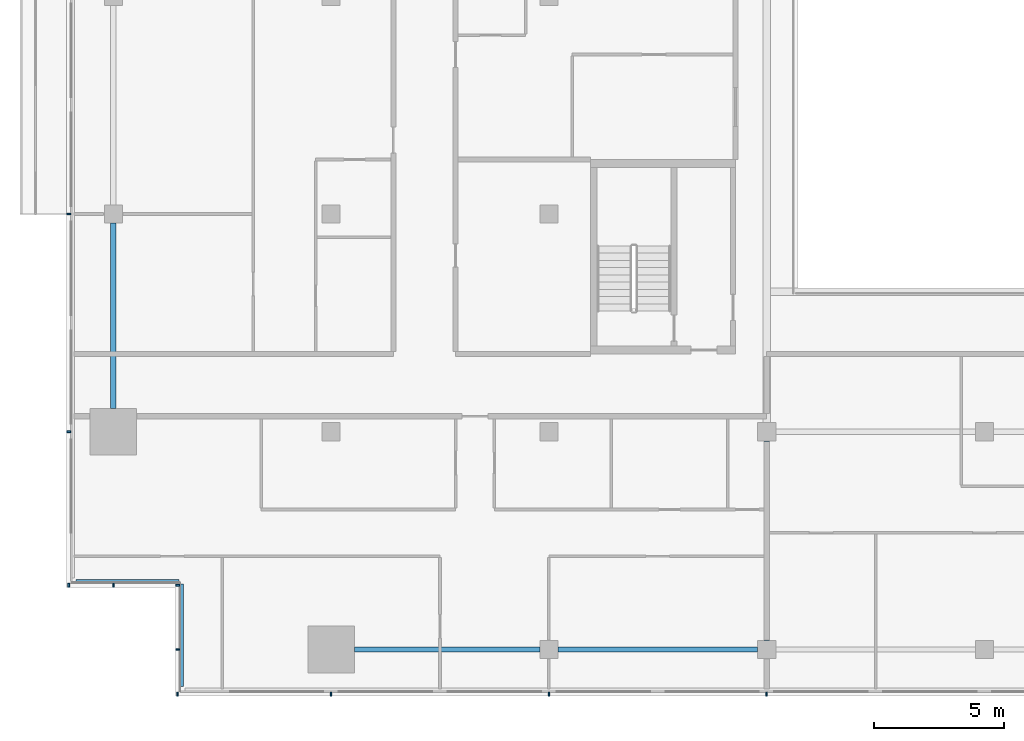
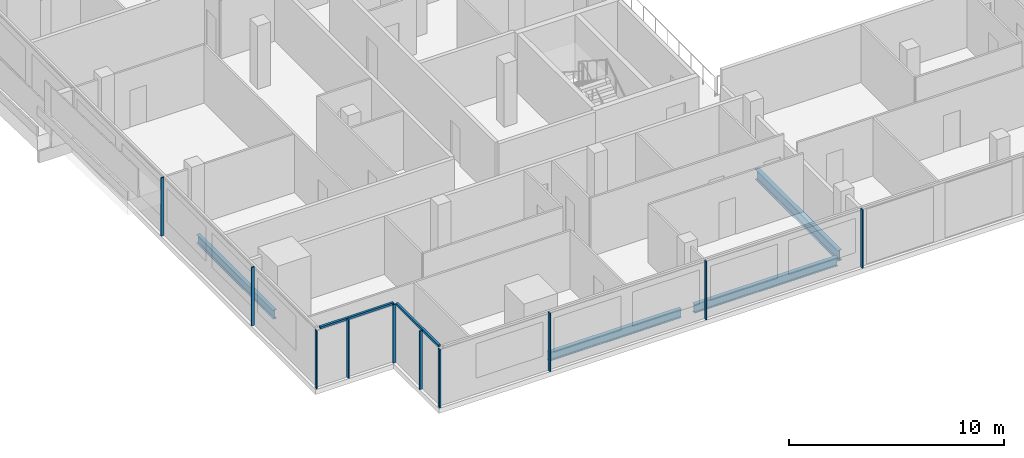
# One storey, part 2 of 27: 12 members, 4 beams, 4 elements without a shape of their own.
"""IFC4 building model written with IfcOpenShell, lengths in metres."""

from ifc_helpers import new_model, si_unit, direction, frame, origin, origin_2d, place, context, subcontext, project, spatial, rectangle, i_section, extrude, material, material_profile, profile_set, type_object, element, aggregate, save


model = new_model("IFC4")

# Units and contexts
model_context = context("Model", 3, precision=1e-05, world=origin(), true_north=direction((0.0, 1.0)))
body_context = subcontext(model_context, "Body", "Model", "MODEL_VIEW")
ifc_project = project(units=[si_unit("LENGTHUNIT", "METRE"), si_unit("AREAUNIT", "SQUARE_METRE"), si_unit("VOLUMEUNIT", "CUBIC_METRE"), si_unit("PLANEANGLEUNIT", "RADIAN"), si_unit("MASSUNIT", "GRAM", prefix="KILO")], contexts=[model_context])

# Site, building, storey
site_placement = place(None, origin())
site = spatial("IfcSite", under=ifc_project, at=site_placement, CompositionType="ELEMENT")
building_placement = place(site_placement, origin())
building = spatial("IfcBuilding", under=site, at=building_placement, Name="Saffron Gate Tower", CompositionType="ELEMENT")
storey_placement = place(building_placement, frame((0.0, 0.0, 183.449951171875)))
storey = spatial("IfcBuildingStorey", under=building, at=storey_placement, Name="L45", CompositionType="ELEMENT", Elevation=183.449951171875)

# Beams
ifc_material_1 = material(Name="Structural steel S355", Category="steel")
ifc_material_profile_1 = material_profile(ifc_material_1, i_section(OverallWidth=0.199951171875, OverallDepth=0.5, WebThickness=0.01025390625, FlangeThickness=0.01611328125, FilletRadius=0.02099609375, at=origin_2d()))
ifc_profile_set_1 = profile_set([ifc_material_profile_1], Name="Structural steel S355")
beam_type_1 = type_object("IfcBeamType", Name="B11 IPE 500", PredefinedType="SPANDREL", material=ifc_profile_set_1)
for number, where, z_axis, x_axis, name in (
    (1, (49.800048828125, 41.10009765625, -0.530029296875), (0.0, 1.0, 0.0), (-1.0, 0.0, 0.0), "B11 SPANDREL BEAM"),
    (2, (59.10009765625, 31.800048828125, -0.530029296875), (1.0, 0.0, 0.0), (0.0, 1.0, 0.0), "B11 SPANDREL BEAM"),
):
    element("IfcBeam", number, at=place(storey_placement, frame(where, z_axis=z_axis, x_axis=x_axis)), inside=storey, type_object=beam_type_1, Name=name, PredefinedType="SPANDREL", context=body_context, shape_type="SweptSolid", body=[
        extrude(i_section(OverallWidth=0.199951171875, OverallDepth=0.5, WebThickness=0.01025390625, FlangeThickness=0.01611328125, FilletRadius=0.02099609375, at=origin_2d()), origin(), (0.0, 0.0, 1.0), 7.14990234375),
    ])
beam_1_placement = place(storey_placement, frame((66.949951171875, 31.800048828125, -0.530029296875), z_axis=(1.0, 0.0, 0.0), x_axis=(0.0, 1.0, 0.0)))
element("IfcBeam", 3, at=beam_1_placement, inside=storey, type_object=beam_type_1, Name="B11 SPANDREL BEAM", PredefinedType="SPANDREL", context=body_context, shape_type="SweptSolid", body=[
    extrude(i_section(OverallWidth=0.199951171875, OverallDepth=0.5, WebThickness=0.01025390625, FlangeThickness=0.01611328125, FilletRadius=0.02099609375, at=origin_2d()), origin(), (0.0, 0.0, 1.0), 7.699951171875),
])
ifc_material_profile_2 = material_profile(ifc_material_1, i_section(OverallWidth=0.219970703125, OverallDepth=0.60009765625, WebThickness=0.011962890625, FlangeThickness=0.01904296875, FilletRadius=0.02392578125, at=origin_2d()))
ifc_profile_set_2 = profile_set([ifc_material_profile_2], Name="Structural steel S355")
beam_type_2 = type_object("IfcBeamType", Name="B15 IPE 600", PredefinedType="BEAM", material=ifc_profile_set_2)
beam_2_placement = place(storey_placement, frame((75.0, 32.14990234375, -0.579833984375), z_axis=(0.0, 1.0, 0.0), x_axis=(-1.0, 0.0, 0.0)))
element("IfcBeam", 4, at=beam_2_placement, inside=storey, type_object=beam_type_2, Name="B15 FLOOR GIRDER", PredefinedType="BEAM", context=body_context, shape_type="SweptSolid", body=[
    extrude(i_section(OverallWidth=0.219970703125, OverallDepth=0.60009765625, WebThickness=0.011962890625, FlangeThickness=0.01904296875, FilletRadius=0.02392578125, at=origin_2d()), origin(), (0.0, 0.0, 1.0), 7.7001953125),
])

# Curtain wall, members
ifc_material_2 = material(Name="Aluminium, bronze anodised", Category="aluminium")
curtain_wall_type_1 = type_object("IfcCurtainWallType", Name="CWS1 curtain wall front facade", PredefinedType="NOTDEFINED", material=ifc_material_2)
curtain_wall_1_placement = place(storey_placement, origin())
curtain_wall_1 = element("IfcCurtainWall", 5, at=curtain_wall_1_placement, inside=storey, type_object=curtain_wall_type_1, Name="CWS1 run 1", PredefinedType="NOTDEFINED")
ifc_material_profile_3 = material_profile(ifc_material_2, rectangle(XDim=0.159912109375, YDim=0.06005859375, at=origin_2d()))
ifc_profile_set_3 = profile_set([ifc_material_profile_3], Name="Aluminium, bronze anodised")
member_type_1 = type_object("IfcMemberType", Name="CWS1 mullion 60x160", PredefinedType="MULLION", material=ifc_profile_set_3)
member_1_placement = place(storey_placement, frame((52.280029296875, 30.080078125, 0.0), z_axis=(0.0, 0.0, 1.0), x_axis=(0.0, 1.0, 0.0)))
member_1 = element("IfcMember", 6, at=member_1_placement, type_object=member_type_1, Name="CWS1 mullion 1", PredefinedType="MULLION", context=body_context, shape_type="SweptSolid", body=[
    extrude(rectangle(XDim=0.159912109375, YDim=0.06005859375, at=origin_2d()), origin(), (0.0, 0.0, 1.0), 3.320068359375),
])
member_2_placement = place(storey_placement, frame((58.199951171875, 30.080078125, 0.0), z_axis=(0.0, 0.0, 1.0), x_axis=(0.0, 1.0, 0.0)))
member_2 = element("IfcMember", 7, at=member_2_placement, type_object=member_type_1, Name="CWS1 mullion 2", PredefinedType="MULLION", context=body_context, shape_type="SweptSolid", body=[
    extrude(rectangle(XDim=0.159912109375, YDim=0.06005859375, at=origin_2d()), origin(), (0.0, 0.0, 1.0), 3.320068359375),
])
member_3_placement = place(storey_placement, frame((66.60009765625, 30.080078125, 0.0), z_axis=(0.0, 0.0, 1.0), x_axis=(0.0, 1.0, 0.0)))
member_3 = element("IfcMember", 8, at=member_3_placement, type_object=member_type_1, Name="CWS1 mullion 3", PredefinedType="MULLION", context=body_context, shape_type="SweptSolid", body=[
    extrude(rectangle(XDim=0.159912109375, YDim=0.06005859375, at=origin_2d()), origin(), (0.0, 0.0, 1.0), 3.320068359375),
])
member_4_placement = place(storey_placement, frame((75.0, 30.080078125, 0.0), z_axis=(0.0, 0.0, 1.0), x_axis=(0.0, 1.0, 0.0)))
member_4 = element("IfcMember", 9, at=member_4_placement, type_object=member_type_1, Name="CWS1 mullion 4", PredefinedType="MULLION", context=body_context, shape_type="SweptSolid", body=[
    extrude(rectangle(XDim=0.159912109375, YDim=0.06005859375, at=origin_2d()), origin(), (0.0, 0.0, 1.0), 3.320068359375),
])
aggregate(curtain_wall_1, [member_1, member_2, member_3, member_4])

curtain_wall_type_2 = type_object("IfcCurtainWallType", Name="CWS2 curtain wall side facades", PredefinedType="NOTDEFINED", material=ifc_material_2)
curtain_wall_2_placement = place(storey_placement, origin())
curtain_wall_2 = element("IfcCurtainWall", 10, at=curtain_wall_2_placement, inside=storey, type_object=curtain_wall_type_2, Name="CWS2 run 10", PredefinedType="NOTDEFINED")
ifc_material_profile_4 = material_profile(ifc_material_2, rectangle(XDim=0.159912109375, YDim=0.06005859375, at=origin_2d()))
ifc_profile_set_4 = profile_set([ifc_material_profile_4], Name="Aluminium, bronze anodised")
member_type_2 = type_object("IfcMemberType", Name="CWS2 mullion 60x160", PredefinedType="MULLION", material=ifc_profile_set_4)
member_5_placement = place(storey_placement, frame((48.080078125, 48.60009765625, 0.0), z_axis=(0.0, 0.0, 1.0), x_axis=(1.0, 0.0, 0.0)))
member_5 = element("IfcMember", 11, at=member_5_placement, type_object=member_type_2, Name="CWS2 mullion 4", PredefinedType="MULLION", context=body_context, shape_type="SweptSolid", body=[
    extrude(rectangle(XDim=0.159912109375, YDim=0.06005859375, at=origin_2d()), origin(), (0.0, 0.0, 1.0), 3.320068359375),
])
member_6_placement = place(storey_placement, frame((48.080078125, 40.199951171875, 0.0), z_axis=(0.0, 0.0, 1.0), x_axis=(1.0, 0.0, 0.0)))
member_6 = element("IfcMember", 12, at=member_6_placement, type_object=member_type_2, Name="CWS2 mullion 5", PredefinedType="MULLION", context=body_context, shape_type="SweptSolid", body=[
    extrude(rectangle(XDim=0.159912109375, YDim=0.06005859375, at=origin_2d()), origin(), (0.0, 0.0, 1.0), 3.320068359375),
])
aggregate(curtain_wall_2, [member_5, member_6])

# Curtain wall, member
curtain_wall_type_3 = type_object("IfcCurtainWallType", Name="CWS4 curtain wall corner returns", PredefinedType="NOTDEFINED", material=ifc_material_2)
curtain_wall_3_placement = place(storey_placement, origin())
curtain_wall_3 = element("IfcCurtainWall", 13, at=curtain_wall_3_placement, inside=storey, type_object=curtain_wall_type_3, Name="CWS4 run 11", PredefinedType="NOTDEFINED")
ifc_material_profile_5 = material_profile(ifc_material_2, rectangle(XDim=0.1201171875, YDim=0.1201171875, at=origin_2d()))
ifc_profile_set_5 = profile_set([ifc_material_profile_5], Name="Aluminium, bronze anodised")
member_type_3 = type_object("IfcMemberType", Name="CWS4 head transom", PredefinedType="USERDEFINED", material=ifc_profile_set_5)
member_7_placement = place(storey_placement, frame((48.367919921875, 34.447998046875, 3.260009765625), z_axis=(1.0, 0.0, 0.0), x_axis=(0.0, 1.0, 0.0)))
member_7 = element("IfcMember", 14, at=member_7_placement, type_object=member_type_3, Name="CWS4 head transom", ObjectType="TRANSOM", PredefinedType="USERDEFINED", context=body_context, shape_type="SweptSolid", body=[
    extrude(rectangle(XDim=0.1201171875, YDim=0.1201171875, at=origin_2d()), origin(), (0.0, 0.0, 1.0), 3.9599609375),
])

curtain_wall_4_placement = place(storey_placement, origin())
curtain_wall_4 = element("IfcCurtainWall", 15, at=curtain_wall_4_placement, inside=storey, type_object=curtain_wall_type_3, Name="CWS4 run 12", PredefinedType="NOTDEFINED")
member_8_placement = place(storey_placement, frame((52.447998046875, 34.327880859375, 3.260009765625), z_axis=(0.0, -1.0, 0.0), x_axis=(1.0, 0.0, 0.0)))
member_8 = element("IfcMember", 16, at=member_8_placement, type_object=member_type_3, Name="CWS4 head transom", ObjectType="TRANSOM", PredefinedType="USERDEFINED", context=body_context, shape_type="SweptSolid", body=[
    extrude(rectangle(XDim=0.1201171875, YDim=0.1201171875, at=origin_2d()), origin(), (0.0, 0.0, 1.0), 3.9599609375),
])

# Member
ifc_material_profile_6 = material_profile(ifc_material_2, rectangle(XDim=0.159912109375, YDim=0.06005859375, at=origin_2d()))
ifc_profile_set_6 = profile_set([ifc_material_profile_6], Name="Aluminium, bronze anodised")
member_type_4 = type_object("IfcMemberType", Name="CWS4 mullion 60x160", PredefinedType="MULLION", material=ifc_profile_set_6)
member_9_placement = place(storey_placement, frame((48.080078125, 34.280029296875, 0.0), z_axis=(0.0, 0.0, 1.0), x_axis=(0.0, 1.0, 0.0)))
member_9 = element("IfcMember", 17, at=member_9_placement, type_object=member_type_4, Name="CWS4 mullion 1", PredefinedType="MULLION", context=body_context, shape_type="SweptSolid", body=[
    extrude(rectangle(XDim=0.159912109375, YDim=0.06005859375, at=origin_2d()), origin(), (0.0, 0.0, 1.0), 3.320068359375),
])

member_10_placement = place(storey_placement, frame((49.800048828125, 34.280029296875, 0.0), z_axis=(0.0, 0.0, 1.0), x_axis=(0.0, 1.0, 0.0)))
member_10 = element("IfcMember", 18, at=member_10_placement, type_object=member_type_4, Name="CWS4 mullion 2", PredefinedType="MULLION", context=body_context, shape_type="SweptSolid", body=[
    extrude(rectangle(XDim=0.159912109375, YDim=0.06005859375, at=origin_2d()), origin(), (0.0, 0.0, 1.0), 3.320068359375),
])

aggregate(curtain_wall_3, [member_9, member_10, member_7])

member_11_placement = place(storey_placement, frame((52.280029296875, 34.280029296875, 0.0), z_axis=(0.0, 0.0, 1.0), x_axis=(1.0, 0.0, 0.0)))
member_11 = element("IfcMember", 19, at=member_11_placement, type_object=member_type_4, Name="CWS4 mullion 1", PredefinedType="MULLION", context=body_context, shape_type="SweptSolid", body=[
    extrude(rectangle(XDim=0.159912109375, YDim=0.06005859375, at=origin_2d()), origin(), (0.0, 0.0, 1.0), 3.320068359375),
])

member_12_placement = place(storey_placement, frame((52.280029296875, 31.800048828125, 0.0), z_axis=(0.0, 0.0, 1.0), x_axis=(1.0, 0.0, 0.0)))
member_12 = element("IfcMember", 20, at=member_12_placement, type_object=member_type_4, Name="CWS4 mullion 2", PredefinedType="MULLION", context=body_context, shape_type="SweptSolid", body=[
    extrude(rectangle(XDim=0.159912109375, YDim=0.06005859375, at=origin_2d()), origin(), (0.0, 0.0, 1.0), 3.320068359375),
])

aggregate(curtain_wall_4, [member_11, member_12, member_8])

save(model, "model.ifc")
